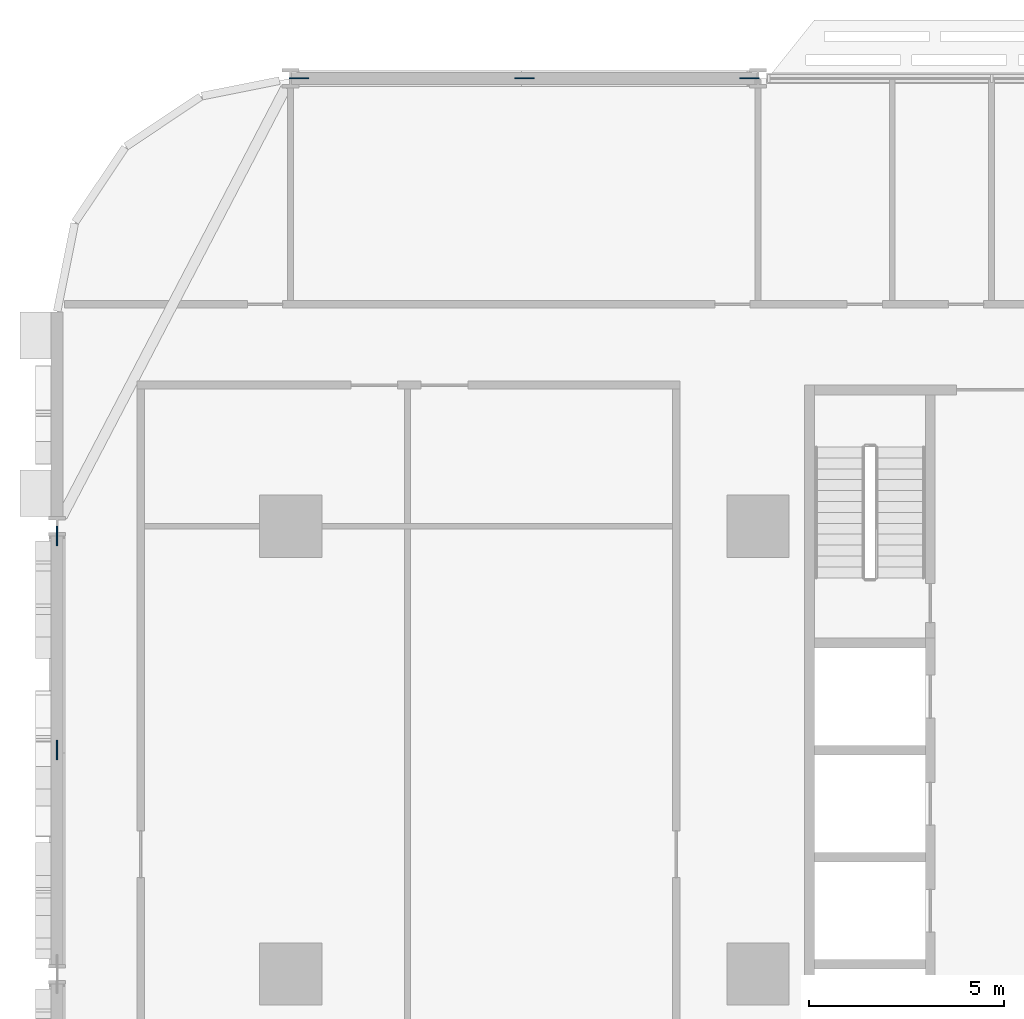
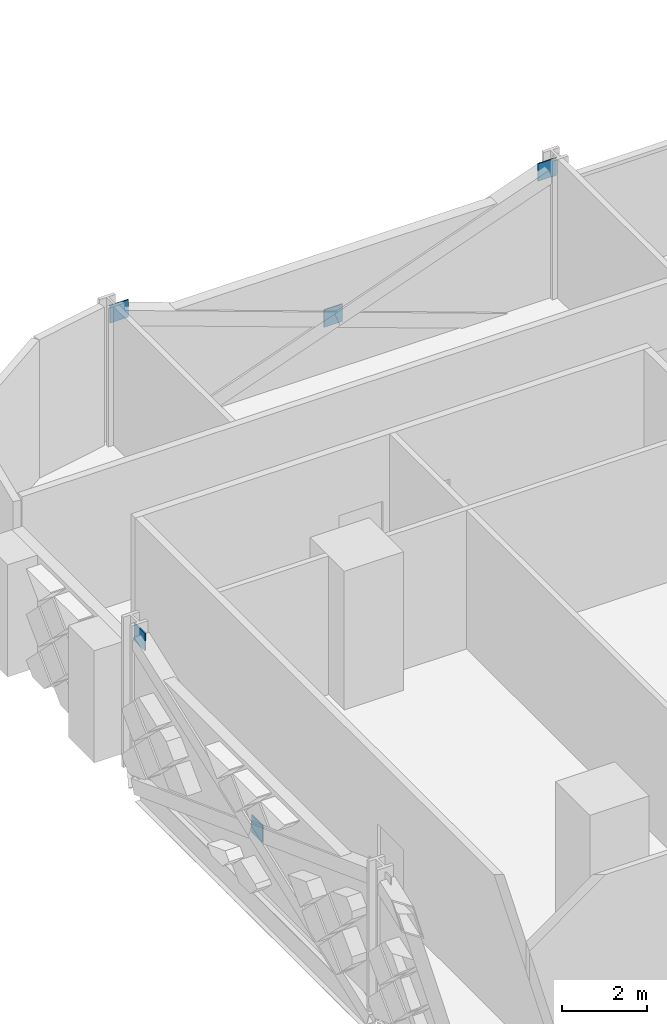
# One storey, part 17 of 26: 5 discrete accessories.
"""IFC4 building model written with IfcOpenShell, lengths in metres."""

from ifc_helpers import new_model, si_unit, direction, frame, origin, origin_2d, place, context, subcontext, project, spatial, rectangle, extrude, material, layer, layer_set, type_object, element, save


model = new_model("IFC4")

# Units and contexts
model_context = context("Model", 3, precision=1e-05, world=origin(), true_north=direction((0.0, 1.0)))
body_context = subcontext(model_context, "Body", "Model", "MODEL_VIEW")
ifc_project = project(units=[si_unit("LENGTHUNIT", "METRE"), si_unit("AREAUNIT", "SQUARE_METRE"), si_unit("VOLUMEUNIT", "CUBIC_METRE"), si_unit("PLANEANGLEUNIT", "RADIAN"), si_unit("MASSUNIT", "GRAM", prefix="KILO")], contexts=[model_context])

# Site, building, storey
site_placement = place(None, origin())
site = spatial("IfcSite", under=ifc_project, at=site_placement, CompositionType="ELEMENT")
building_placement = place(site_placement, origin())
building = spatial("IfcBuilding", under=site, at=building_placement, Name="Mahtab Terrace Research Tower", CompositionType="ELEMENT")
storey_placement = place(building_placement, frame((0.0, 0.0, 15.800048828125)))
storey = spatial("IfcBuildingStorey", under=building, at=storey_placement, Name="L03", CompositionType="ELEMENT", Elevation=15.800048828125)

# Discrete accessories
ifc_material = material(Name="Steel ASTM A992 Gr 50", Category="steel")
ifc_layer = layer(ifc_material, 0.030029296875)
ifc_layer_set = layer_set([ifc_layer], Name="Gusset plate 500x500x30")
discrete_accessory_type = type_object("IfcDiscreteAccessoryType", Name="Gusset plate 500x500x30", PredefinedType="USERDEFINED", material=ifc_layer_set)
for number, where, z_axis, x_axis, name in (
    (1, (-41.7841796875, 23.0, 3.33154296875), (0.0, 0.0, 1.0), (1.0, 0.0, 0.0), "Gusset plate"),
    (2, (-36.0, 23.0, 1.181640625), (0.0, 0.0, 1.0), (1.0, 0.0, 0.0), "Gusset plate"),
    (3, (-30.2158203125, 23.0, 3.33154296875), (0.0, 0.0, 1.0), (1.0, 0.0, 0.0), "Gusset plate"),
    (4, (-48.0, 5.75, 1.181396484375), (0.0, 0.0, 1.0), (0.0, 1.0, 0.0), "Gusset plate"),
    (5, (-48.0, 11.251220703125, 3.33154296875), (0.0, 0.0, 1.0), (0.0, 1.0, 0.0), "Gusset plate"),
):
    element("IfcDiscreteAccessory", number, at=place(storey_placement, frame(where, z_axis=z_axis, x_axis=x_axis)), inside=storey, type_object=discrete_accessory_type, Name=name, ObjectType="GUSSET PLATE", PredefinedType="USERDEFINED", context=body_context, shape_type="SweptSolid", body=[
        extrude(rectangle(XDim=0.5, YDim=0.030029296875, at=origin_2d()), origin(), (0.0, 0.0, 1.0), 0.5),
    ])

save(model, "model.ifc")
